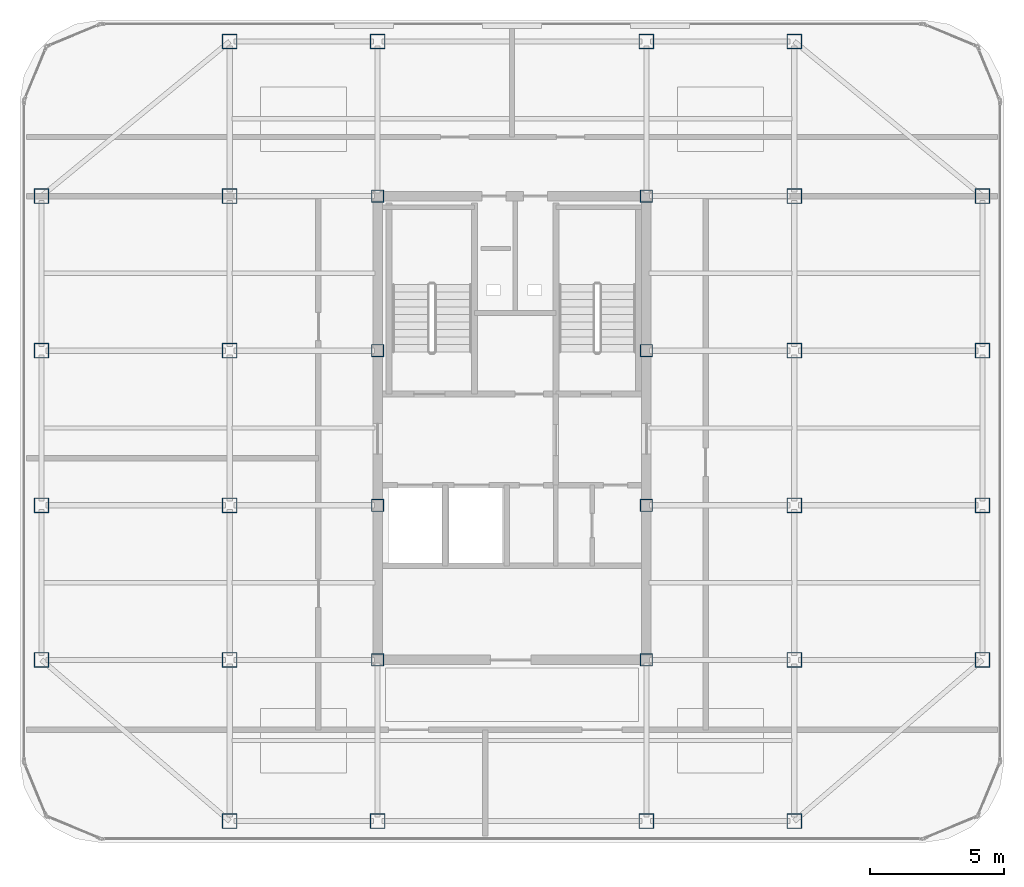
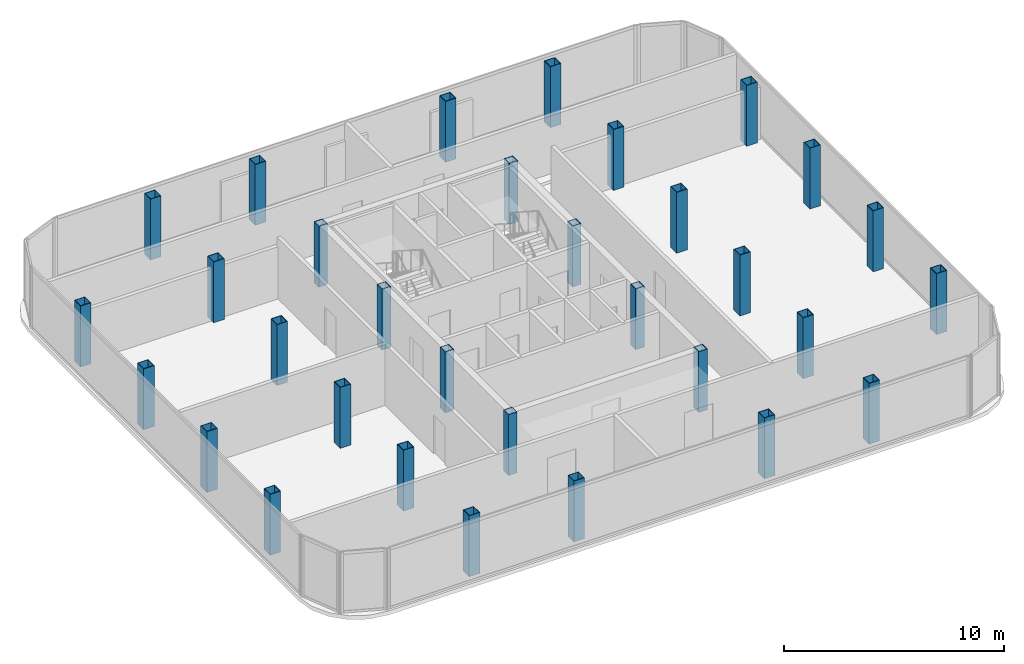
# One storey, part 1 of 11: 32 columns.
"""IFC4 building model written with IfcOpenShell, lengths in metres."""

from ifc_helpers import new_model, si_unit, direction, frame, origin, origin_2d, place, context, subcontext, project, spatial, hollow_rectangle, extrude, source, transform, mapped, material, material_profile, profile_set, type_object, element, save


model = new_model("IFC4")

# Units and contexts
model_context = context("Model", 3, precision=1e-05, world=origin(), true_north=direction((0.0, 1.0)))
body_context = subcontext(model_context, "Body", "Model", "MODEL_VIEW")
ifc_project = project(units=[si_unit("LENGTHUNIT", "METRE"), si_unit("AREAUNIT", "SQUARE_METRE"), si_unit("VOLUMEUNIT", "CUBIC_METRE"), si_unit("PLANEANGLEUNIT", "RADIAN"), si_unit("MASSUNIT", "GRAM", prefix="KILO")], contexts=[model_context])

# Site, building, storey
site_placement = place(None, origin())
site = spatial("IfcSite", under=ifc_project, at=site_placement, CompositionType="ELEMENT")
building_placement = place(site_placement, origin())
building = spatial("IfcBuilding", under=site, at=building_placement, Name="Kolveth Station Tower", CompositionType="ELEMENT")
storey_placement = place(building_placement, frame((0.0, 0.0, 274.89990234375)))
storey = spatial("IfcBuildingStorey", under=building, at=storey_placement, Name="L79", CompositionType="ELEMENT", Elevation=274.89990234375)

# Columns
ifc_material = material(Name="Steel S355", Category="steel")
ifc_material_profile_1 = material_profile(ifc_material, hollow_rectangle(XDim=0.56005859375, YDim=0.56005859375, WallThickness=0.030029296875, at=origin_2d()), Name="BOX560x560x30")
ifc_profile_set_1 = profile_set([ifc_material_profile_1], Name="Steel S355")
column_type_1 = type_object("IfcColumnType", Name="Col_C8", PredefinedType="COLUMN", material=ifc_profile_set_1)
shared_shape_1 = source(origin(), body_context, "Body", "SweptSolid", [
    extrude(hollow_rectangle(XDim=0.56005859375, YDim=0.56005859375, WallThickness=0.030029296875, at=origin_2d()), origin(), (0.0, 0.0, 1.0), 3.380126953125),
])
for number, where, z_axis, x_axis, name in (
    (1, (13.0, 5.5, 0.0), (0.0, 0.0, 1.0), (1.0, 0.0, 0.0), "L79 Tower Column S-X130"),
    (2, (13.0, 34.5, 0.0), (0.0, 0.0, 1.0), (1.0, 0.0, 0.0), "L79 Tower Column N-X130"),
    (3, (18.5, 5.5, 0.0), (0.0, 0.0, 1.0), (1.0, 0.0, 0.0), "L79 Tower Column S-X185"),
    (4, (18.5, 34.5, 0.0), (0.0, 0.0, 1.0), (1.0, 0.0, 0.0), "L79 Tower Column N-X185"),
    (5, (28.5, 5.5, 0.0), (0.0, 0.0, 1.0), (1.0, 0.0, 0.0), "L79 Tower Column S-X285"),
    (6, (28.5, 34.5, 0.0), (0.0, 0.0, 1.0), (1.0, 0.0, 0.0), "L79 Tower Column N-X285"),
    (7, (34.0, 5.5, 0.0), (0.0, 0.0, 1.0), (1.0, 0.0, 0.0), "L79 Tower Column S-X340"),
    (8, (34.0, 34.5, 0.0), (0.0, 0.0, 1.0), (1.0, 0.0, 0.0), "L79 Tower Column N-X340"),
    (9, (6.0, 11.5, 0.0), (0.0, 0.0, 1.0), (1.0, 0.0, 0.0), "L79 Tower Column W-Y115"),
    (10, (41.0, 11.5, 0.0), (0.0, 0.0, 1.0), (1.0, 0.0, 0.0), "L79 Tower Column E-Y115"),
    (11, (6.0, 17.25, 0.0), (0.0, 0.0, 1.0), (1.0, 0.0, 0.0), "L79 Tower Column W-Y172"),
    (12, (41.0, 17.25, 0.0), (0.0, 0.0, 1.0), (1.0, 0.0, 0.0), "L79 Tower Column E-Y172"),
    (13, (6.0, 23.0, 0.0), (0.0, 0.0, 1.0), (1.0, 0.0, 0.0), "L79 Tower Column W-Y230"),
    (14, (41.0, 23.0, 0.0), (0.0, 0.0, 1.0), (1.0, 0.0, 0.0), "L79 Tower Column E-Y230"),
    (15, (6.0, 28.75, 0.0), (0.0, 0.0, 1.0), (1.0, 0.0, 0.0), "L79 Tower Column W-Y287"),
    (16, (41.0, 28.75, 0.0), (0.0, 0.0, 1.0), (1.0, 0.0, 0.0), "L79 Tower Column E-Y287"),
    (17, (13.0, 11.5, 0.0), (0.0, 0.0, 1.0), (1.0, 0.0, 0.0), "L79 Tower Column G-130-115"),
    (18, (13.0, 17.25, 0.0), (0.0, 0.0, 1.0), (1.0, 0.0, 0.0), "L79 Tower Column G-130-172"),
    (19, (13.0, 23.0, 0.0), (0.0, 0.0, 1.0), (1.0, 0.0, 0.0), "L79 Tower Column G-130-230"),
    (20, (13.0, 28.75, 0.0), (0.0, 0.0, 1.0), (1.0, 0.0, 0.0), "L79 Tower Column G-130-287"),
    (21, (34.0, 11.5, 0.0), (0.0, 0.0, 1.0), (1.0, 0.0, 0.0), "L79 Tower Column G-340-115"),
    (22, (34.0, 17.25, 0.0), (0.0, 0.0, 1.0), (1.0, 0.0, 0.0), "L79 Tower Column G-340-172"),
    (23, (34.0, 23.0, 0.0), (0.0, 0.0, 1.0), (1.0, 0.0, 0.0), "L79 Tower Column G-340-230"),
    (24, (34.0, 28.75, 0.0), (0.0, 0.0, 1.0), (1.0, 0.0, 0.0), "L79 Tower Column G-340-287"),
):
    element("IfcColumn", number, at=place(storey_placement, frame(where, z_axis=z_axis, x_axis=x_axis)), inside=storey, type_object=column_type_1, Name=name, PredefinedType="COLUMN", context=body_context, shape_type="MappedRepresentation", body=[
        mapped(shared_shape_1, transform((0.0, 0.0, 0.0), x_axis=(1.0, 0.0, 0.0), y_axis=(0.0, 1.0, 0.0), z_axis=(0.0, 0.0, 1.0), scale=1.0)),
    ])
ifc_material_profile_2 = material_profile(ifc_material, hollow_rectangle(XDim=0.4599609375, YDim=0.4599609375, WallThickness=0.02490234375, at=origin_2d()), Name="BOX460x460x25")
ifc_profile_set_2 = profile_set([ifc_material_profile_2], Name="Steel S355")
column_type_2 = type_object("IfcColumnType", Name="Col_C9", PredefinedType="COLUMN", material=ifc_profile_set_2)
shared_shape_2 = source(origin(), body_context, "Body", "SweptSolid", [
    extrude(hollow_rectangle(XDim=0.4599609375, YDim=0.4599609375, WallThickness=0.02490234375, at=origin_2d()), origin(), (0.0, 0.0, 1.0), 3.380126953125),
])
for number, where, z_axis, x_axis, name in (
    (25, (18.5, 11.5, 0.0), (0.0, 0.0, 1.0), (1.0, 0.0, 0.0), "L79 Tower Column G-185-115"),
    (26, (18.5, 17.25, 0.0), (0.0, 0.0, 1.0), (1.0, 0.0, 0.0), "L79 Tower Column G-185-172"),
    (27, (18.5, 23.0, 0.0), (0.0, 0.0, 1.0), (1.0, 0.0, 0.0), "L79 Tower Column G-185-230"),
    (28, (18.5, 28.75, 0.0), (0.0, 0.0, 1.0), (1.0, 0.0, 0.0), "L79 Tower Column G-185-287"),
    (29, (28.5, 11.5, 0.0), (0.0, 0.0, 1.0), (1.0, 0.0, 0.0), "L79 Tower Column G-285-115"),
    (30, (28.5, 17.25, 0.0), (0.0, 0.0, 1.0), (1.0, 0.0, 0.0), "L79 Tower Column G-285-172"),
    (31, (28.5, 23.0, 0.0), (0.0, 0.0, 1.0), (1.0, 0.0, 0.0), "L79 Tower Column G-285-230"),
    (32, (28.5, 28.75, 0.0), (0.0, 0.0, 1.0), (1.0, 0.0, 0.0), "L79 Tower Column G-285-287"),
):
    element("IfcColumn", number, at=place(storey_placement, frame(where, z_axis=z_axis, x_axis=x_axis)), inside=storey, type_object=column_type_2, Name=name, PredefinedType="COLUMN", context=body_context, shape_type="MappedRepresentation", body=[
        mapped(shared_shape_2, transform((0.0, 0.0, 0.0), x_axis=(1.0, 0.0, 0.0), y_axis=(0.0, 1.0, 0.0), z_axis=(0.0, 0.0, 1.0), scale=1.0)),
    ])

save(model, "model.ifc")
